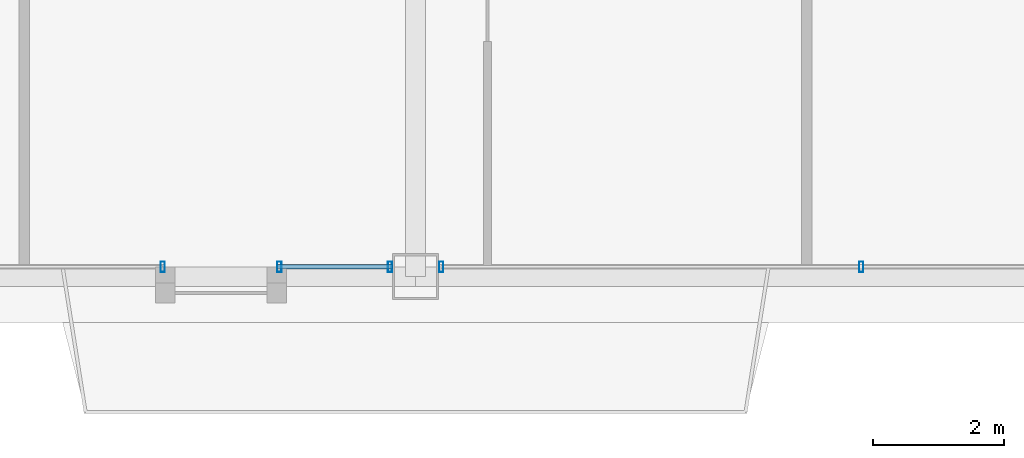
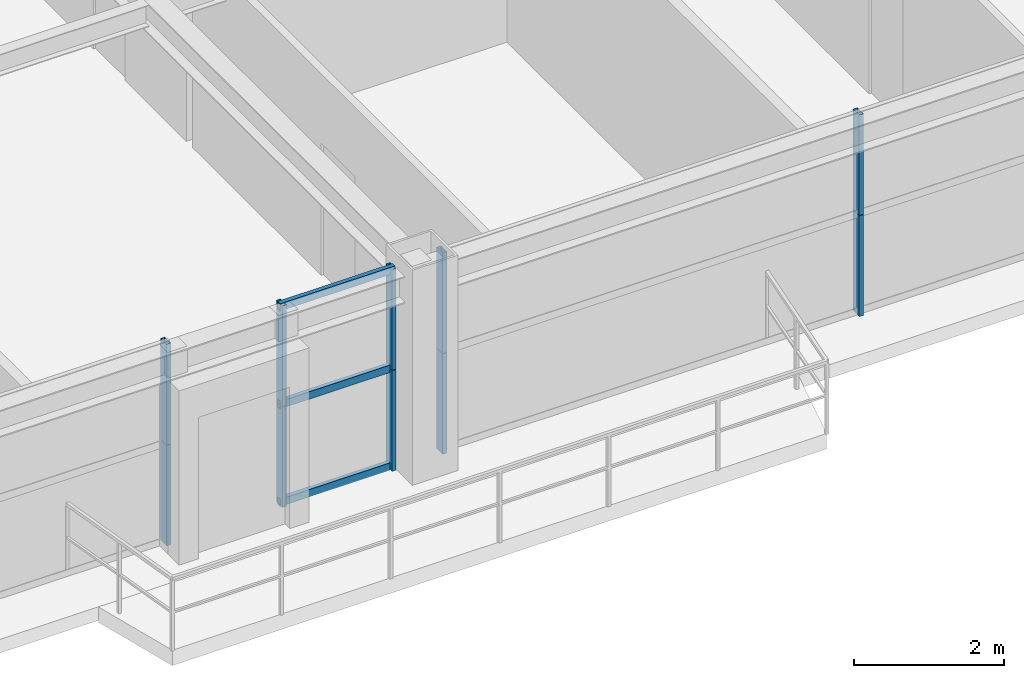
# One storey, part 9 of 35: 13 members, 3 elements without a shape of their own.
"""IFC4 building model written with IfcOpenShell, lengths in metres."""

from ifc_helpers import new_model, si_unit, direction, frame, origin, origin_2d, place, context, subcontext, project, spatial, hollow_rectangle, extrude, source, transform, mapped, material, layer, layer_set, material_profile, profile_set, type_object, element, aggregate, save


model = new_model("IFC4")

# Units and contexts
model_context = context("Model", 3, precision=1e-05, world=origin(), true_north=direction((0.0, 1.0)))
body_context = subcontext(model_context, "Body", "Model", "MODEL_VIEW")
ifc_project = project(units=[si_unit("LENGTHUNIT", "METRE"), si_unit("AREAUNIT", "SQUARE_METRE"), si_unit("VOLUMEUNIT", "CUBIC_METRE"), si_unit("PLANEANGLEUNIT", "RADIAN"), si_unit("MASSUNIT", "GRAM", prefix="KILO"), si_unit("THERMODYNAMICTEMPERATUREUNIT", "KELVIN"), si_unit("POWERUNIT", "WATT")], contexts=[model_context])

# Site, building, storey
site_placement = place(None, origin())
site = spatial("IfcSite", under=ifc_project, at=site_placement, CompositionType="ELEMENT")
building_placement = place(site_placement, origin())
building = spatial("IfcBuilding", under=site, at=building_placement, Name="Yuzanri Waterfront Tower", CompositionType="ELEMENT")
storey_placement = place(building_placement, frame((0.0, 0.0, 248.60009765625)))
storey = spatial("IfcBuildingStorey", under=building, at=storey_placement, Name="L66", CompositionType="ELEMENT", Elevation=248.60009765625)

# Curtain wall, members
ifc_material_1 = material(Name="Anodized Architectural Bronze", Category="metal")
ifc_layer = layer(ifc_material_1, 0.159912109375)
ifc_layer_set = layer_set([ifc_layer], Name="Anodized Architectural Bronze")
curtain_wall_type = type_object("IfcCurtainWallType", Name="Anodized Bronze Mid-Rise Residential Acoustic Unitized Curtain Wall 7200", PredefinedType="NOTDEFINED", material=ifc_layer_set)
curtain_wall_1_placement = place(storey_placement, origin())
curtain_wall_1 = element("IfcCurtainWall", 1, at=curtain_wall_1_placement, inside=storey, type_object=curtain_wall_type, Name="L66 Curtain Wall CW-L66-SL1", PredefinedType="NOTDEFINED")
ifc_material_2 = material(Name="Anodized Architectural Bronze", Category="metal")
ifc_material_profile_1 = material_profile(ifc_material_2, hollow_rectangle(XDim=0.06494140625, YDim=0.159912109375, WallThickness=0.00341796875, at=origin_2d()), Name="CWM 65x160")
ifc_profile_set_1 = profile_set([ifc_material_profile_1], Name="Anodized Architectural Bronze")
member_type_1 = type_object("IfcMemberType", Name="Anodized Bronze Upper-Zone Curtain-Wall Mullion 65x160", PredefinedType="MULLION", material=ifc_profile_set_1)
shared_shape_1 = source(origin(), body_context, "Body", "SweptSolid", [
    extrude(hollow_rectangle(XDim=0.06494140625, YDim=0.159912109375, WallThickness=0.00341796875, at=origin_2d()), origin(), (0.0, 0.0, 1.0), 1.637939453125),
])
member_1_placement = place(storey_placement, frame((33.14208984375, 5.35009765625, 0.0), z_axis=(0.0, 0.0, 1.0), x_axis=(1.0, 0.0, 0.0)))
member_1 = element("IfcMember", 2, at=member_1_placement, type_object=member_type_1, Name="CW-L66-SL1 Lower Mullion 01", PredefinedType="MULLION", context=body_context, shape_type="MappedRepresentation", body=[
    mapped(shared_shape_1, transform((0.0, 0.0, 0.0), scale=1.0)),
])
member_2_placement = place(storey_placement, frame((33.14208984375, 5.35009765625, 1.641845703125), z_axis=(0.0, 0.0, 1.0), x_axis=(1.0, 0.0, 0.0)))
member_2 = element("IfcMember", 3, at=member_2_placement, type_object=member_type_1, Name="CW-L66-SL1 Upper Mullion 01", PredefinedType="MULLION", context=body_context, shape_type="MappedRepresentation", body=[
    mapped(shared_shape_1, transform((0.0, 0.0, 0.0), scale=1.0)),
])
aggregate(curtain_wall_1, [member_1, member_2])

curtain_wall_2_placement = place(storey_placement, origin())
curtain_wall_2 = element("IfcCurtainWall", 4, at=curtain_wall_2_placement, inside=storey, type_object=curtain_wall_type, Name="L66 Curtain Wall CW-L66-SL2", PredefinedType="NOTDEFINED")
member_3_placement = place(storey_placement, frame((34.922119140625, 5.35009765625, 0.0), z_axis=(0.0, 0.0, 1.0), x_axis=(1.0, 0.0, 0.0)))
member_3 = element("IfcMember", 5, at=member_3_placement, type_object=member_type_1, Name="CW-L66-SL2 Lower Mullion 00", PredefinedType="MULLION", context=body_context, shape_type="MappedRepresentation", body=[
    mapped(shared_shape_1, transform((0.0, 0.0, 0.0), scale=1.0)),
])
member_4_placement = place(storey_placement, frame((34.922119140625, 5.35009765625, 1.641845703125), z_axis=(0.0, 0.0, 1.0), x_axis=(1.0, 0.0, 0.0)))
member_4 = element("IfcMember", 6, at=member_4_placement, type_object=member_type_1, Name="CW-L66-SL2 Upper Mullion 00", PredefinedType="MULLION", context=body_context, shape_type="MappedRepresentation", body=[
    mapped(shared_shape_1, transform((0.0, 0.0, 0.0), scale=1.0)),
])
member_5_placement = place(storey_placement, frame((36.610107421875, 5.35009765625, 0.0), z_axis=(0.0, 0.0, 1.0), x_axis=(1.0, 0.0, 0.0)))
member_5 = element("IfcMember", 7, at=member_5_placement, type_object=member_type_1, Name="CW-L66-SL2 Lower Mullion 01", PredefinedType="MULLION", context=body_context, shape_type="MappedRepresentation", body=[
    mapped(shared_shape_1, transform((0.0, 0.0, 0.0), scale=1.0)),
])
member_6_placement = place(storey_placement, frame((36.610107421875, 5.35009765625, 1.641845703125), z_axis=(0.0, 0.0, 1.0), x_axis=(1.0, 0.0, 0.0)))
member_6 = element("IfcMember", 8, at=member_6_placement, type_object=member_type_1, Name="CW-L66-SL2 Upper Mullion 01", PredefinedType="MULLION", context=body_context, shape_type="MappedRepresentation", body=[
    mapped(shared_shape_1, transform((0.0, 0.0, 0.0), scale=1.0)),
])

curtain_wall_3_placement = place(storey_placement, origin())
curtain_wall_3 = element("IfcCurtainWall", 9, at=curtain_wall_3_placement, inside=storey, type_object=curtain_wall_type, Name="L66 Curtain Wall CW-L66-SR", PredefinedType="NOTDEFINED")
member_7_placement = place(storey_placement, frame((37.389892578125, 5.35009765625, 0.0), z_axis=(0.0, 0.0, 1.0), x_axis=(1.0, 0.0, 0.0)))
member_7 = element("IfcMember", 10, at=member_7_placement, type_object=member_type_1, Name="CW-L66-SR Lower Mullion 00", PredefinedType="MULLION", context=body_context, shape_type="MappedRepresentation", body=[
    mapped(shared_shape_1, transform((0.0, 0.0, 0.0), scale=1.0)),
])
member_8_placement = place(storey_placement, frame((37.389892578125, 5.35009765625, 1.641845703125), z_axis=(0.0, 0.0, 1.0), x_axis=(1.0, 0.0, 0.0)))
member_8 = element("IfcMember", 11, at=member_8_placement, type_object=member_type_1, Name="CW-L66-SR Upper Mullion 00", PredefinedType="MULLION", context=body_context, shape_type="MappedRepresentation", body=[
    mapped(shared_shape_1, transform((0.0, 0.0, 0.0), scale=1.0)),
])
member_9_placement = place(storey_placement, frame((43.800048828125, 5.35009765625, 0.0), z_axis=(0.0, 0.0, 1.0), x_axis=(1.0, 0.0, 0.0)))
member_9 = element("IfcMember", 12, at=member_9_placement, type_object=member_type_1, Name="CW-L66-SR Lower Mullion 01", PredefinedType="MULLION", context=body_context, shape_type="MappedRepresentation", body=[
    mapped(shared_shape_1, transform((0.0, 0.0, 0.0), scale=1.0)),
])
member_10_placement = place(storey_placement, frame((43.800048828125, 5.35009765625, 1.641845703125), z_axis=(0.0, 0.0, 1.0), x_axis=(1.0, 0.0, 0.0)))
member_10 = element("IfcMember", 13, at=member_10_placement, type_object=member_type_1, Name="CW-L66-SR Upper Mullion 01", PredefinedType="MULLION", context=body_context, shape_type="MappedRepresentation", body=[
    mapped(shared_shape_1, transform((0.0, 0.0, 0.0), scale=1.0)),
])
aggregate(curtain_wall_3, [member_7, member_8, member_9, member_10])

# Member
ifc_material_3 = material(Name="Anodized Architectural Bronze", Category="metal")
ifc_material_profile_2 = material_profile(ifc_material_3, hollow_rectangle(XDim=0.06494140625, YDim=0.1201171875, WallThickness=0.00341796875, at=origin_2d()), Name="CWT 65x120")
ifc_profile_set_2 = profile_set([ifc_material_profile_2], Name="Anodized Architectural Bronze")
member_type_2 = type_object("IfcMemberType", Name="Anodized Bronze Secondary Curtain-Wall Transom 65x120", PredefinedType="USERDEFINED", material=ifc_profile_set_2)
shared_shape_2 = source(origin(), body_context, "Body", "SweptSolid", [
    extrude(hollow_rectangle(XDim=0.06494140625, YDim=0.1201171875, WallThickness=0.00341796875, at=origin_2d()), origin(), (0.0, 0.0, 1.0), 1.767822265625),
])
member_11_placement = place(storey_placement, frame((34.882080078125, 5.35009765625, 0.0498046875), z_axis=(1.0, 0.0, 0.0), x_axis=(0.0, 1.0, 0.0)))
member_11 = element("IfcMember", 14, at=member_11_placement, type_object=member_type_2, Name="CW-L66-SL2 Transom 1", ObjectType="TRANSOM", PredefinedType="USERDEFINED", context=body_context, shape_type="MappedRepresentation", body=[
    mapped(shared_shape_2, transform((0.0, 0.0, 0.0), scale=1.0)),
])

member_12_placement = place(storey_placement, frame((34.882080078125, 5.35009765625, 1.639892578125), z_axis=(1.0, 0.0, 0.0), x_axis=(0.0, 1.0, 0.0)))
member_12 = element("IfcMember", 15, at=member_12_placement, type_object=member_type_2, Name="CW-L66-SL2 Transom 2", ObjectType="TRANSOM", PredefinedType="USERDEFINED", context=body_context, shape_type="MappedRepresentation", body=[
    mapped(shared_shape_2, transform((0.0, 0.0, 0.0), scale=1.0)),
])

member_13_placement = place(storey_placement, frame((34.882080078125, 5.35009765625, 3.22998046875), z_axis=(1.0, 0.0, 0.0), x_axis=(0.0, 1.0, 0.0)))
member_13 = element("IfcMember", 16, at=member_13_placement, type_object=member_type_2, Name="CW-L66-SL2 Transom 3", ObjectType="TRANSOM", PredefinedType="USERDEFINED", context=body_context, shape_type="MappedRepresentation", body=[
    mapped(shared_shape_2, transform((0.0, 0.0, 0.0), scale=1.0)),
])

aggregate(curtain_wall_2, [member_3, member_4, member_5, member_6, member_11, member_12, member_13])

save(model, "model.ifc")
